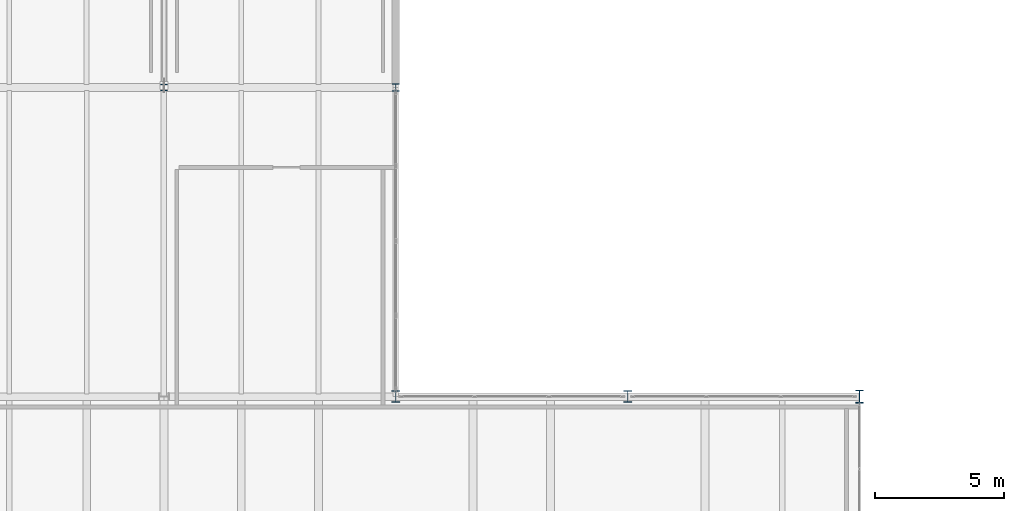
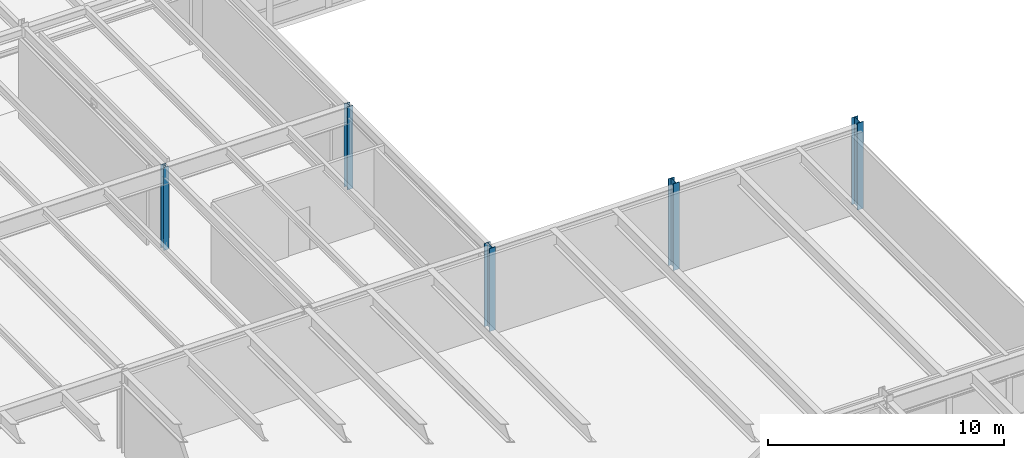
# One storey, part 7 of 115: 5 columns.
"""IFC4 building model written with IfcOpenShell, lengths in metres."""

from ifc_helpers import new_model, si_unit, direction, frame, origin, origin_2d, place, context, subcontext, project, spatial, i_section, extrude, material, material_profile, profile_set, type_object, element, save


model = new_model("IFC4")

# Units and contexts
model_context = context("Model", 3, precision=1e-05, world=origin(), true_north=direction((0.0, 1.0)))
body_context = subcontext(model_context, "Body", "Model", "MODEL_VIEW")
ifc_project = project(units=[si_unit("LENGTHUNIT", "METRE"), si_unit("AREAUNIT", "SQUARE_METRE"), si_unit("VOLUMEUNIT", "CUBIC_METRE"), si_unit("PLANEANGLEUNIT", "RADIAN"), si_unit("MASSUNIT", "GRAM", prefix="KILO")], contexts=[model_context])

# Site, building, storey
site_placement = place(None, origin())
site = spatial("IfcSite", under=ifc_project, at=site_placement, CompositionType="ELEMENT")
building_placement = place(site_placement, origin())
building = spatial("IfcBuilding", under=site, at=building_placement, Name="Montelvaro Courts of Justice", CompositionType="ELEMENT")
storey_placement = place(building_placement, frame((0.0, 0.0, 9.89990234375)))
storey = spatial("IfcBuildingStorey", under=building, at=storey_placement, Name="L02", CompositionType="ELEMENT", Elevation=9.89990234375)

# Columns
ifc_material = material(Name="Steel S355", Category="steel")
ifc_material_profile_1 = material_profile(ifc_material, i_section(OverallWidth=0.260009765625, OverallDepth=0.260009765625, WebThickness=0.010009765625, FlangeThickness=0.017578125, at=origin_2d()), Name="HEB 260")
ifc_profile_set_1 = profile_set([ifc_material_profile_1], Name="Steel S355")
column_type_1 = type_object("IfcColumnType", Name="Col_HEB260", PredefinedType="COLUMN", material=ifc_profile_set_1)
column_1_placement = place(storey_placement, frame((117.0, 54.0, 0.0), z_axis=(0.0, 0.0, 1.0), x_axis=(1.0, 0.0, 0.0)))
element("IfcColumn", 1, at=column_1_placement, inside=storey, type_object=column_type_1, Name="Column C-01 L02 14/E", PredefinedType="COLUMN", context=body_context, shape_type="SweptSolid", body=[
    extrude(i_section(OverallWidth=0.260009765625, OverallDepth=0.260009765625, WebThickness=0.010009765625, FlangeThickness=0.017578125, at=origin_2d()), origin(), (0.0, 0.0, 1.0), 4.300048828125),
])
ifc_material_profile_2 = material_profile(ifc_material, i_section(OverallWidth=0.280029296875, OverallDepth=0.280029296875, WebThickness=0.010498046875, FlangeThickness=0.01806640625, at=origin_2d()), Name="HEB 280")
ifc_profile_set_2 = profile_set([ifc_material_profile_2], Name="Steel S355")
column_type_2 = type_object("IfcColumnType", Name="Col_HEB280", PredefinedType="COLUMN", material=ifc_profile_set_2)
column_2_placement = place(storey_placement, frame((126.0, 54.0, 0.0), z_axis=(0.0, 0.0, 1.0), x_axis=(1.0, 0.0, 0.0)))
element("IfcColumn", 2, at=column_2_placement, inside=storey, type_object=column_type_2, Name="Column C-02 L02 15/E", PredefinedType="COLUMN", context=body_context, shape_type="SweptSolid", body=[
    extrude(i_section(OverallWidth=0.280029296875, OverallDepth=0.280029296875, WebThickness=0.010498046875, FlangeThickness=0.01806640625, at=origin_2d()), origin(), (0.0, 0.0, 1.0), 4.300048828125),
])
ifc_material_profile_3 = material_profile(ifc_material, i_section(OverallWidth=0.300048828125, OverallDepth=0.449951171875, WebThickness=0.013916015625, FlangeThickness=0.02587890625, at=origin_2d()), Name="HEB 450")
ifc_profile_set_3 = profile_set([ifc_material_profile_3], Name="Steel S355")
column_type_3 = type_object("IfcColumnType", Name="Col_HEB450", PredefinedType="COLUMN", material=ifc_profile_set_3)
column_3_placement = place(storey_placement, frame((126.0, 42.0, 0.0), z_axis=(0.0, 0.0, 1.0), x_axis=(1.0, 0.0, 0.0)))
element("IfcColumn", 3, at=column_3_placement, inside=storey, type_object=column_type_3, Name="Column C-08 L02 15/D", PredefinedType="COLUMN", context=body_context, shape_type="SweptSolid", body=[
    extrude(i_section(OverallWidth=0.300048828125, OverallDepth=0.449951171875, WebThickness=0.013916015625, FlangeThickness=0.02587890625, at=origin_2d()), origin(), (0.0, 0.0, 1.0), 4.300048828125),
])
column_4_placement = place(storey_placement, frame((135.0, 42.0, 0.0), z_axis=(0.0, 0.0, 1.0), x_axis=(1.0, 0.0, 0.0)))
element("IfcColumn", 4, at=column_4_placement, inside=storey, type_object=column_type_3, Name="Column C-08 L02 16/D", PredefinedType="COLUMN", context=body_context, shape_type="SweptSolid", body=[
    extrude(i_section(OverallWidth=0.300048828125, OverallDepth=0.449951171875, WebThickness=0.013916015625, FlangeThickness=0.02587890625, at=origin_2d()), origin(), (0.0, 0.0, 1.0), 4.5),
])
ifc_material_profile_4 = material_profile(ifc_material, i_section(OverallWidth=0.300048828125, OverallDepth=0.5, WebThickness=0.014404296875, FlangeThickness=0.028076171875, at=origin_2d()), Name="HEB 500")
ifc_profile_set_4 = profile_set([ifc_material_profile_4], Name="Steel S355")
column_type_4 = type_object("IfcColumnType", Name="Col_HEB500", PredefinedType="COLUMN", material=ifc_profile_set_4)
column_5_placement = place(storey_placement, frame((144.0, 42.0, 0.0), z_axis=(0.0, 0.0, 1.0), x_axis=(1.0, 0.0, 0.0)))
element("IfcColumn", 5, at=column_5_placement, inside=storey, type_object=column_type_4, Name="Column C-09 L02 17/D", PredefinedType="COLUMN", context=body_context, shape_type="SweptSolid", body=[
    extrude(i_section(OverallWidth=0.300048828125, OverallDepth=0.5, WebThickness=0.014404296875, FlangeThickness=0.028076171875, at=origin_2d()), origin(), (0.0, 0.0, 1.0), 4.5),
])

save(model, "model.ifc")
